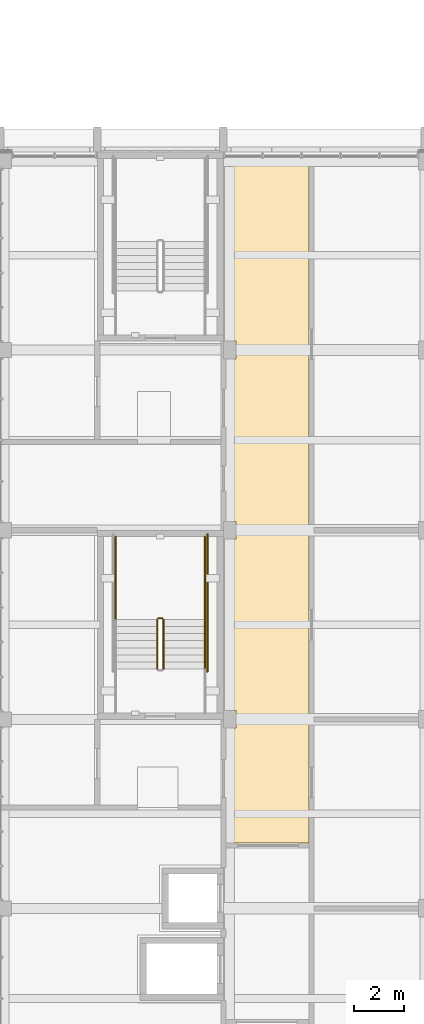
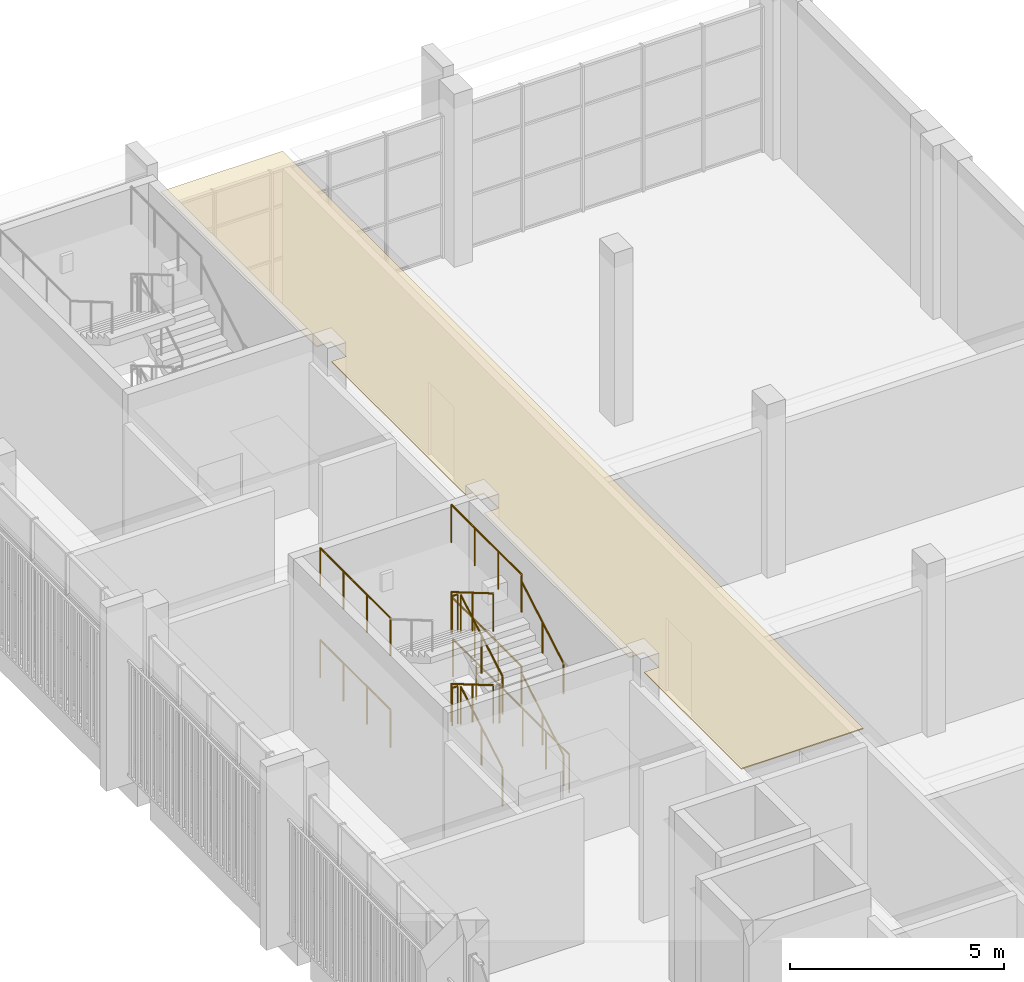
# One storey, part 115 of 125: 13 railings, 1 covering.
"""IFC4 building model written with IfcOpenShell, lengths in metres."""

from ifc_helpers import new_model, si_unit, direction, frame, origin, origin_2d, place, context, subcontext, project, spatial, polyline, circle, outline, extrude, material, layer, layer_set, type_object, element, save


model = new_model("IFC4")

# Units and contexts
model_context = context("Model", 3, precision=1e-05, world=origin(), true_north=direction((0.0, 1.0)))
body_context = subcontext(model_context, "Body", "Model", "MODEL_VIEW")
ifc_project = project(units=[si_unit("LENGTHUNIT", "METRE"), si_unit("AREAUNIT", "SQUARE_METRE"), si_unit("VOLUMEUNIT", "CUBIC_METRE"), si_unit("PLANEANGLEUNIT", "RADIAN"), si_unit("MASSUNIT", "GRAM", prefix="KILO")], contexts=[model_context])

# Site, building, storey
site_placement = place(None, origin())
site = spatial("IfcSite", under=ifc_project, at=site_placement, CompositionType="ELEMENT")
building_placement = place(site_placement, origin())
building = spatial("IfcBuilding", under=site, at=building_placement, Name="Sun Court Science Centre", CompositionType="ELEMENT")
storey_placement = place(building_placement, frame((0.0, 0.0, 6.0)))
storey = spatial("IfcBuildingStorey", under=building, at=storey_placement, Name="L01", CompositionType="ELEMENT", Elevation=6.0)

# Covering
ifc_material_1 = material(Name="Gypsum board")
ifc_layer = layer(ifc_material_1, 0.030029296875)
ifc_layer_set = layer_set([ifc_layer], Name="Gypsum board")
covering_type = type_object("IfcCoveringType", Name="Ceiling suspended 600 module", PredefinedType="CEILING", material=ifc_layer_set)
covering_placement = place(storey_placement, frame((0.0, 0.0, 4.52001953125)))
element("IfcCovering", 1, at=covering_placement, inside=storey, type_object=covering_type, Name="L01-038 ceiling", PredefinedType="CEILING", context=body_context, shape_type="SweptSolid", body=[
    extrude(outline(polyline([(90.39990234375, 80.800048828125), (90.39990234375, 53.60009765625), (87.10009765625, 53.60009765625), (87.10009765625, 58.14990234375), (87.5, 58.14990234375), (87.5, 58.85009765625), (87.10009765625, 58.85009765625), (87.10009765625, 65.64990234375), (87.5, 65.64990234375), (87.5, 66.35009765625), (87.10009765625, 66.35009765625), (87.10009765625, 72.800048828125), (87.5, 72.800048828125), (87.5, 73.5), (87.10009765625, 73.5), (87.10009765625, 80.800048828125), (90.39990234375, 80.800048828125)])), origin(), (0.0, 0.0, 1.0), 0.030029296875),
])

# Railings
ifc_material_2 = material(Name="Steel S275", Category="steel")
railing_type_1 = type_object("IfcRailingType", Name="Guard 1100 steel balustrade", PredefinedType="GUARDRAIL", material=ifc_material_2)
railing_1_placement = place(storey_placement, frame((84.625, 60.498046875, 0.1640625)))
element("IfcRailing", 2, at=railing_1_placement, inside=storey, type_object=railing_type_1, Name="L01 SL3 stair guard 1", PredefinedType="GUARDRAIL", context=body_context, shape_type="SweptSolid", body=[
    extrude(circle(Radius=0.02392578125, at=origin_2d()), frame((0.0, 0.0, 1.076171875), z_axis=(0.0, 0.862794965445, 0.505554000679), x_axis=(-1.0, 0.0, 0.0)), (0.0, 0.0, 1.0), 2.271728515625),
    extrude(circle(Radius=0.02099609375, at=origin_2d()), origin(), (0.0, 0.0, 1.0), 1.052001953125),
    extrude(circle(Radius=0.02099609375, at=origin_2d()), frame((0.0, 0.97998046875, 0.57421875)), (0.0, 0.0, 1.0), 1.052001953125),
    extrude(circle(Radius=0.02099609375, at=origin_2d()), frame((0.0, 1.9599609375, 1.1484375)), (0.0, 0.0, 1.0), 1.052001953125),
])
railing_2_placement = place(storey_placement, frame((84.574951171875, 62.508056640625, 1.3125)))
element("IfcRailing", 3, at=railing_2_placement, inside=storey, type_object=railing_type_1, Name="L01 SL3 stair guard 2", PredefinedType="GUARDRAIL", context=body_context, shape_type="SweptSolid", body=[
    extrude(circle(Radius=0.02392578125, at=origin_2d()), frame((0.0, 0.0, 1.076171875), z_axis=(-1.0, 0.0, 0.0), x_axis=(0.0, -1.0, 0.0)), (0.0, 0.0, 1.0), 0.14990234375),
    extrude(circle(Radius=0.02099609375, at=origin_2d()), origin(), (0.0, 0.0, 1.0), 1.052001953125),
    extrude(circle(Radius=0.02099609375, at=origin_2d()), frame((-0.14990234375, 0.0, 0.0)), (0.0, 0.0, 1.0), 1.052001953125),
])
for number, where, name in (
    (4, (86.27294921875, 62.4580078125, 1.3125), "L01 SL3 stair guard 3"),
    (5, (82.72705078125, 62.4580078125, 1.3125), "L01 SL3 stair guard 4"),
):
    element("IfcRailing", number, at=place(storey_placement, frame(where)), inside=storey, type_object=railing_type_1, Name=name, PredefinedType="GUARDRAIL", context=body_context, shape_type="SweptSolid", body=[
        extrude(circle(Radius=0.02392578125, at=origin_2d()), frame((0.0, 0.0, 1.076171875), z_axis=(0.0, 1.0, 0.0), x_axis=(-1.0, 0.0, 0.0)), (0.0, 0.0, 1.0), 3.2919921875),
        extrude(circle(Radius=0.02099609375, at=origin_2d()), origin(), (0.0, 0.0, 1.0), 1.052001953125),
        extrude(circle(Radius=0.02099609375, at=origin_2d()), frame((0.0, 1.097412109375, 0.0)), (0.0, 0.0, 1.0), 1.052001953125),
        extrude(circle(Radius=0.02099609375, at=origin_2d()), frame((0.0, 2.194580078125, 0.0)), (0.0, 0.0, 1.0), 1.052001953125),
        extrude(circle(Radius=0.02099609375, at=origin_2d()), frame((0.0, 3.2919921875, 0.0)), (0.0, 0.0, 1.0), 1.052001953125),
    ])
railing_3_placement = place(storey_placement, frame((84.375, 62.4580078125, 1.4765625)))
element("IfcRailing", 6, at=railing_3_placement, inside=storey, type_object=railing_type_1, Name="L01 SL3 stair guard 5", PredefinedType="GUARDRAIL", context=body_context, shape_type="SweptSolid", body=[
    extrude(circle(Radius=0.02392578125, at=origin_2d()), frame((0.0, 0.0, 1.076171875), z_axis=(0.0, -0.862794965445, 0.505554000679), x_axis=(1.0, 0.0, 0.0)), (0.0, 0.0, 1.0), 2.271728515625),
    extrude(circle(Radius=0.02099609375, at=origin_2d()), origin(), (0.0, 0.0, 1.0), 1.052001953125),
    extrude(circle(Radius=0.02099609375, at=origin_2d()), frame((0.0, -0.97998046875, 0.57421875)), (0.0, 0.0, 1.0), 1.052001953125),
    extrude(circle(Radius=0.02099609375, at=origin_2d()), frame((0.0, -1.9599609375, 1.1484375)), (0.0, 0.0, 1.0), 1.052001953125),
])
railing_4_placement = place(storey_placement, frame((84.625, 60.498046875, 2.7890625)))
element("IfcRailing", 7, at=railing_4_placement, inside=storey, type_object=railing_type_1, Name="L01 SL3 stair guard 9", PredefinedType="GUARDRAIL", context=body_context, shape_type="SweptSolid", body=[
    extrude(circle(Radius=0.02392578125, at=origin_2d()), frame((0.0, 0.0, 1.076171875), z_axis=(0.0, 0.862794965445, 0.505554000679), x_axis=(-1.0, 0.0, 0.0)), (0.0, 0.0, 1.0), 2.271728515625),
    extrude(circle(Radius=0.02099609375, at=origin_2d()), origin(), (0.0, 0.0, 1.0), 1.052001953125),
    extrude(circle(Radius=0.02099609375, at=origin_2d()), frame((0.0, 0.97998046875, 0.57421875)), (0.0, 0.0, 1.0), 1.052001953125),
    extrude(circle(Radius=0.02099609375, at=origin_2d()), frame((0.0, 1.9599609375, 1.1484375)), (0.0, 0.0, 1.0), 1.052001953125),
])
railing_5_placement = place(storey_placement, frame((84.574951171875, 62.508056640625, 3.9375)))
element("IfcRailing", 8, at=railing_5_placement, inside=storey, type_object=railing_type_1, Name="L01 SL3 stair guard 10", PredefinedType="GUARDRAIL", context=body_context, shape_type="SweptSolid", body=[
    extrude(circle(Radius=0.02392578125, at=origin_2d()), frame((0.0, 0.0, 1.076171875), z_axis=(-1.0, 0.0, 0.0), x_axis=(0.0, -1.0, 0.0)), (0.0, 0.0, 1.0), 0.14990234375),
    extrude(circle(Radius=0.02099609375, at=origin_2d()), origin(), (0.0, 0.0, 1.0), 1.052001953125),
    extrude(circle(Radius=0.02099609375, at=origin_2d()), frame((-0.14990234375, 0.0, 0.0)), (0.0, 0.0, 1.0), 1.052001953125),
])
for number, where, name in (
    (9, (86.27294921875, 62.4580078125, 3.9375), "L01 SL3 stair guard 11"),
    (10, (82.72705078125, 62.4580078125, 3.9375), "L01 SL3 stair guard 12"),
):
    element("IfcRailing", number, at=place(storey_placement, frame(where)), inside=storey, type_object=railing_type_1, Name=name, PredefinedType="GUARDRAIL", context=body_context, shape_type="SweptSolid", body=[
        extrude(circle(Radius=0.02392578125, at=origin_2d()), frame((0.0, 0.0, 1.076171875), z_axis=(0.0, 1.0, 0.0), x_axis=(-1.0, 0.0, 0.0)), (0.0, 0.0, 1.0), 3.2919921875),
        extrude(circle(Radius=0.02099609375, at=origin_2d()), origin(), (0.0, 0.0, 1.0), 1.052001953125),
        extrude(circle(Radius=0.02099609375, at=origin_2d()), frame((0.0, 1.097412109375, 0.0)), (0.0, 0.0, 1.0), 1.052001953125),
        extrude(circle(Radius=0.02099609375, at=origin_2d()), frame((0.0, 2.194580078125, 0.0)), (0.0, 0.0, 1.0), 1.052001953125),
        extrude(circle(Radius=0.02099609375, at=origin_2d()), frame((0.0, 3.2919921875, 0.0)), (0.0, 0.0, 1.0), 1.052001953125),
    ])
railing_6_placement = place(storey_placement, frame((84.375, 62.4580078125, 4.1015625)))
element("IfcRailing", 11, at=railing_6_placement, inside=storey, type_object=railing_type_1, Name="L01 SL3 stair guard 13", PredefinedType="GUARDRAIL", context=body_context, shape_type="SweptSolid", body=[
    extrude(circle(Radius=0.02392578125, at=origin_2d()), frame((0.0, 0.0, 1.076171875), z_axis=(0.0, -0.862794965445, 0.505554000679), x_axis=(1.0, 0.0, 0.0)), (0.0, 0.0, 1.0), 2.271728515625),
    extrude(circle(Radius=0.02099609375, at=origin_2d()), origin(), (0.0, 0.0, 1.0), 1.052001953125),
    extrude(circle(Radius=0.02099609375, at=origin_2d()), frame((0.0, -0.97998046875, 0.57421875)), (0.0, 0.0, 1.0), 1.052001953125),
    extrude(circle(Radius=0.02099609375, at=origin_2d()), frame((0.0, -1.9599609375, 1.1484375)), (0.0, 0.0, 1.0), 1.052001953125),
])
railing_7_placement = place(storey_placement, frame((86.373046875, 60.39794921875, 0.0)))
element("IfcRailing", 12, at=railing_7_placement, inside=storey, type_object=railing_type_1, Name="L01 SL3 stair guard 17", PredefinedType="GUARDRAIL", context=body_context, shape_type="SweptSolid", body=[
    extrude(circle(Radius=0.02392578125, at=origin_2d()), frame((0.0, 0.0, 1.076171875), z_axis=(0.0, 1.0, 0.0), x_axis=(-1.0, 0.0, 0.0)), (0.0, 0.0, 1.0), 5.4521484375),
    extrude(circle(Radius=0.02099609375, at=origin_2d()), origin(), (0.0, 0.0, 1.0), 1.052001953125),
    extrude(circle(Radius=0.02099609375, at=origin_2d()), frame((0.0, 1.09033203125, 0.0)), (0.0, 0.0, 1.0), 1.052001953125),
    extrude(circle(Radius=0.02099609375, at=origin_2d()), frame((0.0, 2.180908203125, 0.0)), (0.0, 0.0, 1.0), 1.052001953125),
    extrude(circle(Radius=0.02099609375, at=origin_2d()), frame((0.0, 3.271240234375, 0.0)), (0.0, 0.0, 1.0), 1.052001953125),
    extrude(circle(Radius=0.02099609375, at=origin_2d()), frame((0.0, 4.36181640625, 0.0)), (0.0, 0.0, 1.0), 1.052001953125),
    extrude(circle(Radius=0.02099609375, at=origin_2d()), frame((0.0, 5.4521484375, 0.0)), (0.0, 0.0, 1.0), 1.052001953125),
])
ifc_material_3 = material(Name="Stainless steel", Category="steel")
railing_type_2 = type_object("IfcRailingType", Name="Handrail 900 stainless", PredefinedType="HANDRAIL", material=ifc_material_3)
for number, where, name in (
    (13, (86.27294921875, 60.498046875, 0.1640625), "L01 SL3 stair handrail 1"),
    (14, (86.27294921875, 60.498046875, 2.7890625), "L01 SL3 stair handrail 3"),
):
    element("IfcRailing", number, at=place(storey_placement, frame(where)), inside=storey, type_object=railing_type_2, Name=name, PredefinedType="HANDRAIL", context=body_context, shape_type="SweptSolid", body=[
        extrude(circle(Radius=0.02392578125, at=origin_2d()), frame((0.0, 0.0, 0.8759765625), z_axis=(0.0, 0.862794965445, 0.505554000679), x_axis=(-1.0, 0.0, 0.0)), (0.0, 0.0, 1.0), 2.271728515625),
        extrude(circle(Radius=0.02099609375, at=origin_2d()), origin(), (0.0, 0.0, 1.0), 0.851806640625),
        extrude(circle(Radius=0.02099609375, at=origin_2d()), frame((0.0, 0.97998046875, 0.57421875)), (0.0, 0.0, 1.0), 0.851806640625),
        extrude(circle(Radius=0.02099609375, at=origin_2d()), frame((0.0, 1.9599609375, 1.1484375)), (0.0, 0.0, 1.0), 0.851806640625),
    ])

save(model, "model.ifc")
